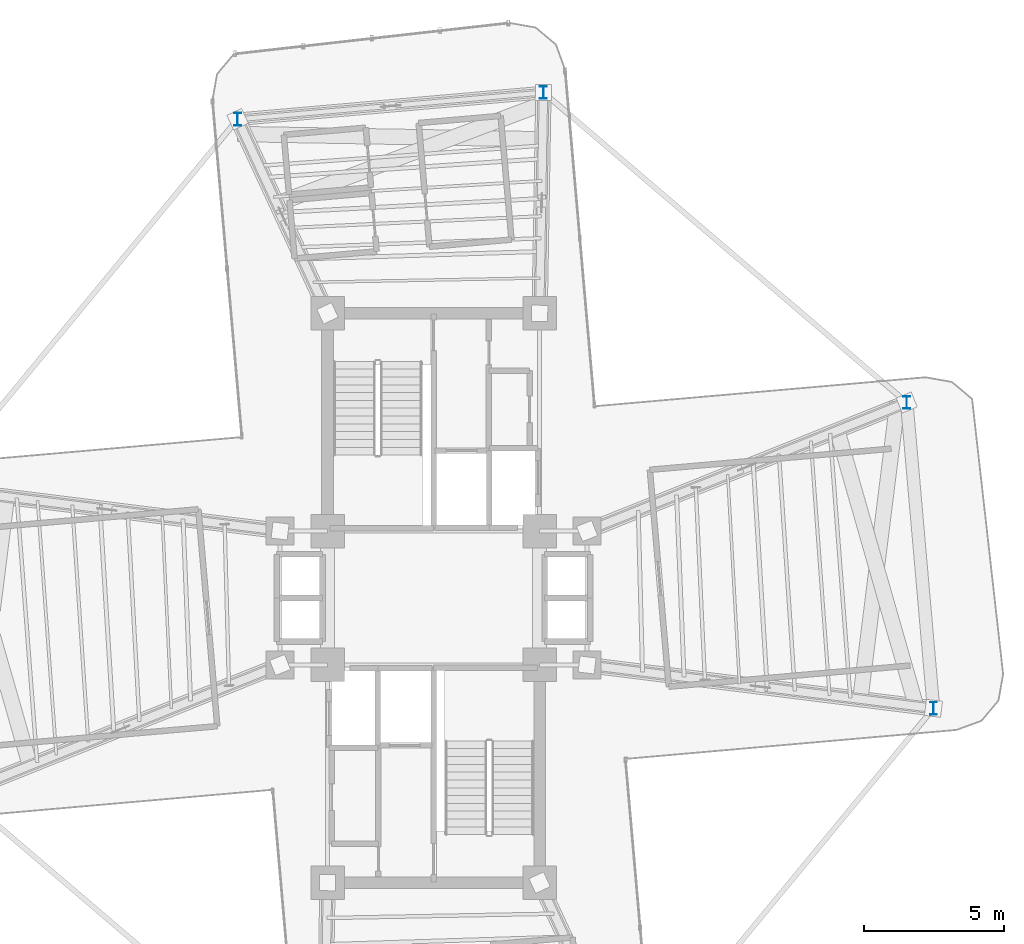
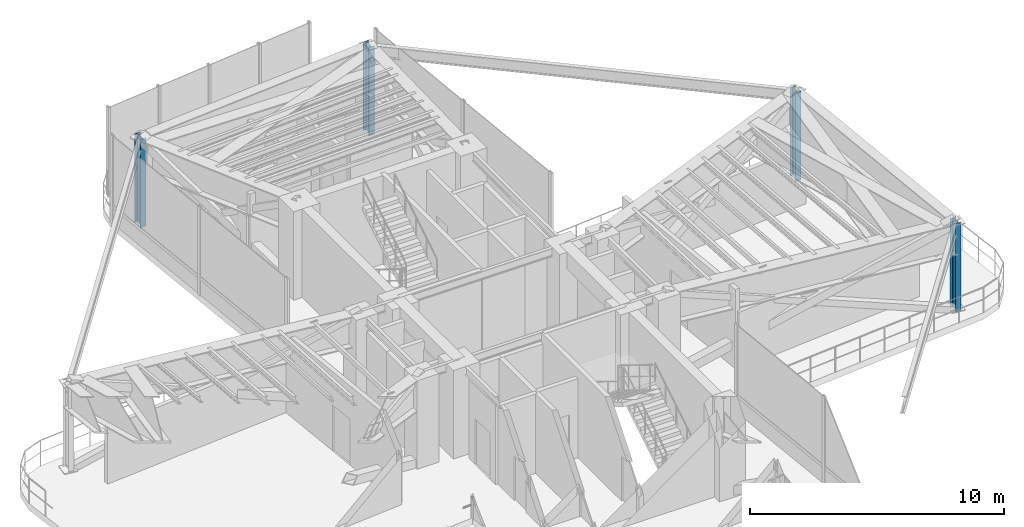
# One storey, part 2 of 17: 4 columns.
"""IFC4 building model written with IfcOpenShell, lengths in metres."""

from ifc_helpers import new_model, si_unit, direction, frame, origin, origin_2d, place, context, subcontext, project, spatial, i_section, extrude, source, transform, mapped, material, material_profile, profile_set, type_object, element, save


model = new_model("IFC4")

# Units and contexts
model_context = context("Model", 3, precision=1e-05, world=origin(), true_north=direction((0.0, 1.0)))
body_context = subcontext(model_context, "Body", "Model", "MODEL_VIEW")
ifc_project = project(units=[si_unit("LENGTHUNIT", "METRE"), si_unit("AREAUNIT", "SQUARE_METRE"), si_unit("VOLUMEUNIT", "CUBIC_METRE"), si_unit("PLANEANGLEUNIT", "RADIAN"), si_unit("MASSUNIT", "GRAM", prefix="KILO")], contexts=[model_context])

# Site, building, storey
site_placement = place(None, origin())
site = spatial("IfcSite", under=ifc_project, at=site_placement, CompositionType="ELEMENT")
building_placement = place(site_placement, origin())
building = spatial("IfcBuilding", under=site, at=building_placement, Name="Sahyath Konkavel Grand Hotel", CompositionType="ELEMENT")
storey_placement = place(building_placement, frame((0.0, 0.0, 202.0)))
storey = spatial("IfcBuildingStorey", under=building, at=storey_placement, Name="L56", CompositionType="ELEMENT", Elevation=202.0)

# Columns
ifc_material = material(Name="Steel E450", Category="steel")
ifc_material_profile = material_profile(ifc_material, i_section(OverallWidth=0.25, OverallDepth=0.449951171875, WebThickness=0.013671875, FlangeThickness=0.013671875, FilletRadius=0.014892578125, at=origin_2d()), Name="ISHB 450")
ifc_profile_set = profile_set([ifc_material_profile], Name="Steel E450")
column_type = type_object("IfcColumnType", Name="COL-ISHB450", PredefinedType="COLUMN", material=ifc_profile_set)
shared_shape = source(origin(), body_context, "Body", "SweptSolid", [
    extrude(i_section(OverallWidth=0.25, OverallDepth=0.449951171875, WebThickness=0.013671875, FlangeThickness=0.013671875, FilletRadius=0.014892578125, at=origin_2d()), origin(), (0.0, 0.0, 1.0), 4.260009765625),
])
for number, where, z_axis, x_axis, name in (
    (1, (17.912841796875, -3.953857421875, 0.0), (0.0, 0.0, 1.0), (1.0, 0.0, 0.0), "L56 Cruciform Wing Column WC-EA"),
    (2, (16.9541015625, 7.00439453125, 0.0), (0.0, 0.0, 1.0), (1.0, 0.0, 0.0), "L56 Cruciform Wing Column WC-EB"),
    (3, (3.936279296875, 18.112060546875, 0.0), (0.0, 0.0, 1.0), (1.0, 0.0, 0.0), "L56 Cruciform Wing Column WC-NA"),
    (4, (-7.021728515625, 17.1533203125, 0.0), (0.0, 0.0, 1.0), (1.0, 0.0, 0.0), "L56 Cruciform Wing Column WC-NB"),
):
    element("IfcColumn", number, at=place(storey_placement, frame(where, z_axis=z_axis, x_axis=x_axis)), inside=storey, type_object=column_type, Name=name, PredefinedType="COLUMN", context=body_context, shape_type="MappedRepresentation", body=[
        mapped(shared_shape, transform((0.0, 0.0, 0.0), scale=1.0)),
    ])

save(model, "model.ifc")
